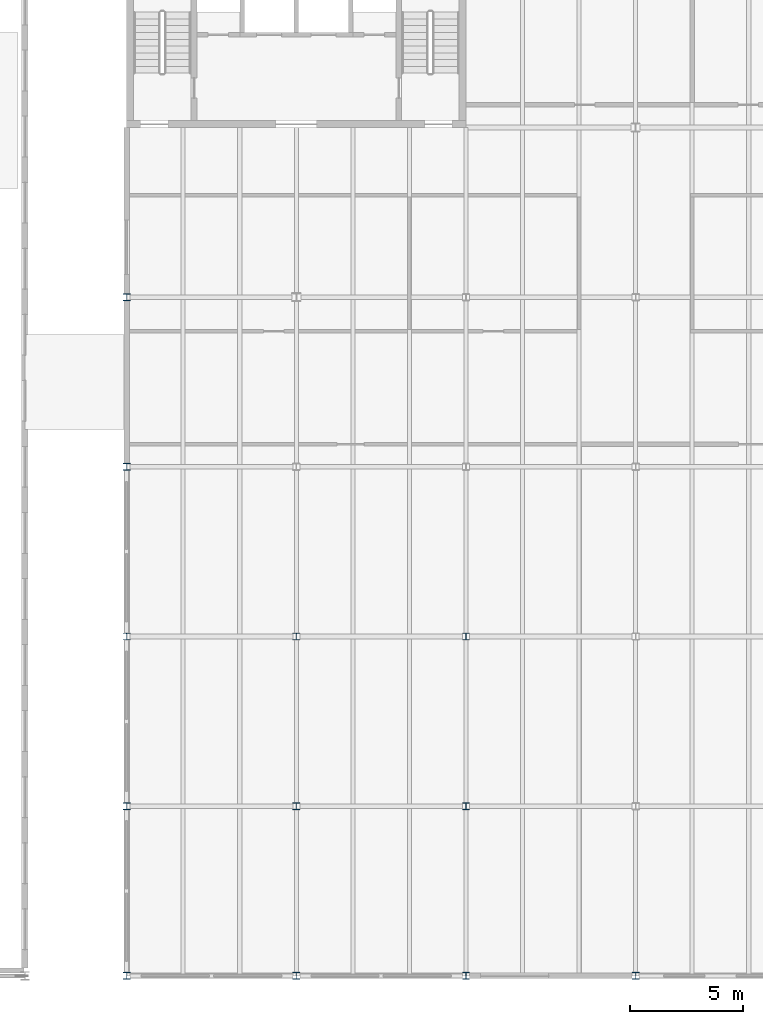
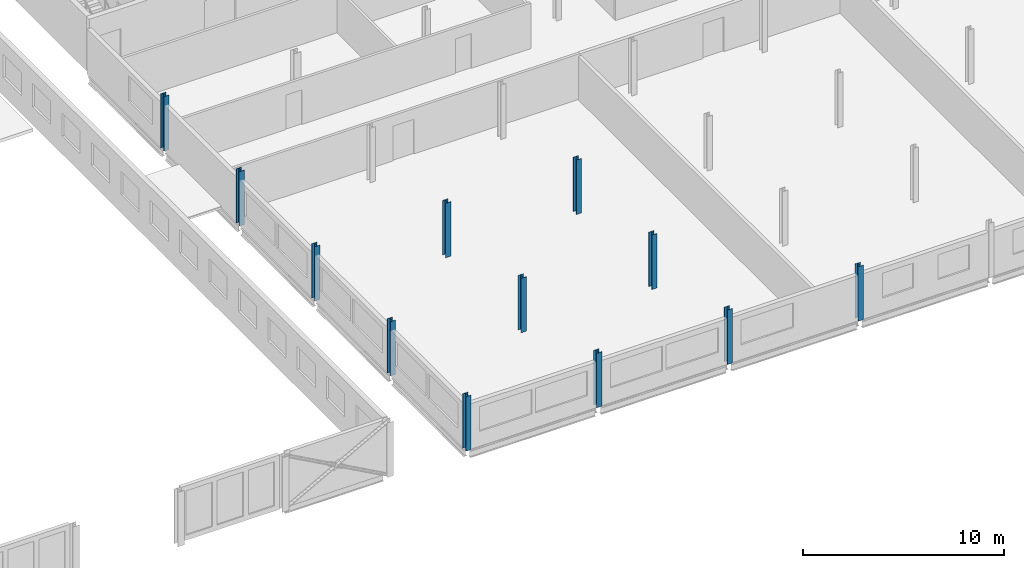
# One storey, part 5 of 198: 12 columns.
"""IFC4 building model written with IfcOpenShell, lengths in metres."""

from ifc_helpers import new_model, si_unit, direction, frame, origin, origin_2d, place, context, subcontext, project, spatial, i_section, extrude, material, material_profile, profile_set, type_object, element, save


model = new_model("IFC4")

# Units and contexts
model_context = context("Model", 3, precision=1e-05, world=origin(), true_north=direction((0.0, 1.0)))
body_context = subcontext(model_context, "Body", "Model", "MODEL_VIEW")
ifc_project = project(units=[si_unit("LENGTHUNIT", "METRE"), si_unit("AREAUNIT", "SQUARE_METRE"), si_unit("VOLUMEUNIT", "CUBIC_METRE"), si_unit("PLANEANGLEUNIT", "RADIAN"), si_unit("MASSUNIT", "GRAM", prefix="KILO")], contexts=[model_context])

# Site, building, storey
site_placement = place(None, origin())
site = spatial("IfcSite", under=ifc_project, at=site_placement, CompositionType="ELEMENT")
building_placement = place(site_placement, origin())
building = spatial("IfcBuilding", under=site, at=building_placement, Name="Parallax Yard Mobility Hub", CompositionType="ELEMENT")
storey_placement = place(building_placement, frame((0.0, 0.0, 6.60009765625)))
storey = spatial("IfcBuildingStorey", under=building, at=storey_placement, Name="L02", CompositionType="ELEMENT", Elevation=6.60009765625)

# Columns
ifc_material = material(Name="Steel ASTM A992", Category="steel")
ifc_material_profile_1 = material_profile(ifc_material, i_section(OverallWidth=0.306884765625, OverallDepth=0.318115234375, WebThickness=0.01318359375, FlangeThickness=0.0205078125, FilletRadius=0.01513671875, at=origin_2d()), Name="W310x129")
ifc_profile_set_1 = profile_set([ifc_material_profile_1], Name="Steel ASTM A992")
column_type_1 = type_object("IfcColumnType", Name="W310x129 column", PredefinedType="COLUMN", material=ifc_profile_set_1)
column_placement = place(storey_placement, frame((97.5, 37.5, 0.0), z_axis=(0.0, 0.0, 1.0), x_axis=(1.0, 0.0, 0.0)))
element("IfcColumn", 1, at=column_placement, inside=storey, type_object=column_type_1, Name="Column C3 level L02 at F/14 of mobility service centre and workshops", PredefinedType="COLUMN", context=body_context, shape_type="SweptSolid", body=[
    extrude(i_section(OverallWidth=0.306884765625, OverallDepth=0.318115234375, WebThickness=0.01318359375, FlangeThickness=0.0205078125, FilletRadius=0.01513671875, at=origin_2d()), origin(), (0.0, 0.0, 1.0), 3.2998046875),
])
ifc_material_profile_2 = material_profile(ifc_material, i_section(OverallWidth=0.304931640625, OverallDepth=0.306884765625, WebThickness=0.010009765625, FlangeThickness=0.015380859375, FilletRadius=0.01513671875, at=origin_2d()), Name="W310x97")
ifc_profile_set_2 = profile_set([ifc_material_profile_2], Name="Steel ASTM A992")
column_type_2 = type_object("IfcColumnType", Name="W310x97 column", PredefinedType="COLUMN", material=ifc_profile_set_2)
for number, where, z_axis, x_axis, name in (
    (2, (97.5, 7.5, 0.0), (0.0, 0.0, 1.0), (1.0, 0.0, 0.0), "Column C1 level L02 at B/14 of mobility service centre and workshops"),
    (3, (97.5, 15.0, 0.0), (0.0, 0.0, 1.0), (1.0, 0.0, 0.0), "Column C1 level L02 at C/14 of mobility service centre and workshops"),
    (4, (97.5, 22.5, 0.0), (0.0, 0.0, 1.0), (1.0, 0.0, 0.0), "Column C1 level L02 at D/14 of mobility service centre and workshops"),
    (5, (97.5, 30.0, 0.0), (0.0, 0.0, 1.0), (1.0, 0.0, 0.0), "Column C1 level L02 at E/14 of mobility service centre and workshops"),
    (6, (105.0, 7.5, 0.0), (0.0, 0.0, 1.0), (1.0, 0.0, 0.0), "Column C1 level L02 at B/15 of mobility service centre and workshops"),
    (7, (105.0, 15.0, 0.0), (0.0, 0.0, 1.0), (1.0, 0.0, 0.0), "Column C1 level L02 at C/15 of mobility service centre and workshops"),
    (8, (105.0, 22.5, 0.0), (0.0, 0.0, 1.0), (1.0, 0.0, 0.0), "Column C1 level L02 at D/15 of mobility service centre and workshops"),
    (9, (112.5, 7.5, 0.0), (0.0, 0.0, 1.0), (1.0, 0.0, 0.0), "Column C1 level L02 at B/16 of mobility service centre and workshops"),
    (10, (112.5, 15.0, 0.0), (0.0, 0.0, 1.0), (1.0, 0.0, 0.0), "Column C1 level L02 at C/16 of mobility service centre and workshops"),
    (11, (112.5, 22.5, 0.0), (0.0, 0.0, 1.0), (1.0, 0.0, 0.0), "Column C1 level L02 at D/16 of mobility service centre and workshops"),
    (12, (120.0, 7.5, 0.0), (0.0, 0.0, 1.0), (1.0, 0.0, 0.0), "Column C1 level L02 at B/17 of mobility service centre and workshops"),
):
    element("IfcColumn", number, at=place(storey_placement, frame(where, z_axis=z_axis, x_axis=x_axis)), inside=storey, type_object=column_type_2, Name=name, PredefinedType="COLUMN", context=body_context, shape_type="SweptSolid", body=[
        extrude(i_section(OverallWidth=0.304931640625, OverallDepth=0.306884765625, WebThickness=0.010009765625, FlangeThickness=0.015380859375, FilletRadius=0.01513671875, at=origin_2d()), origin(), (0.0, 0.0, 1.0), 3.2998046875),
    ])

save(model, "model.ifc")
